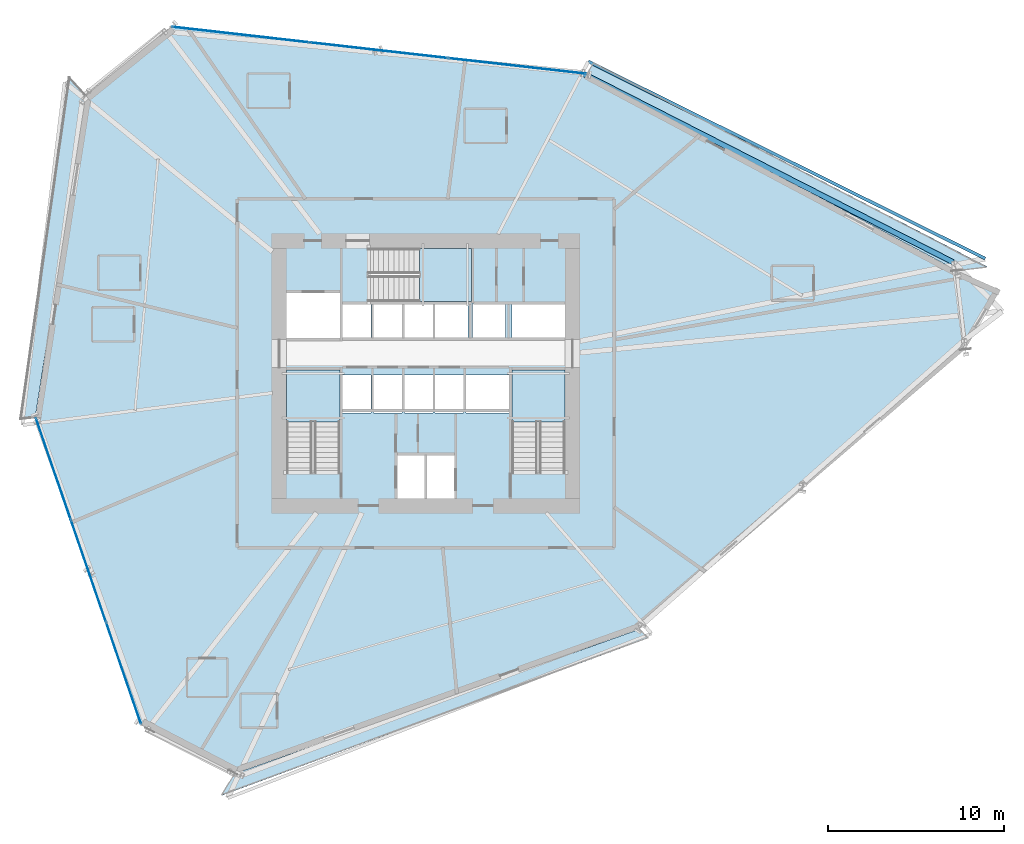
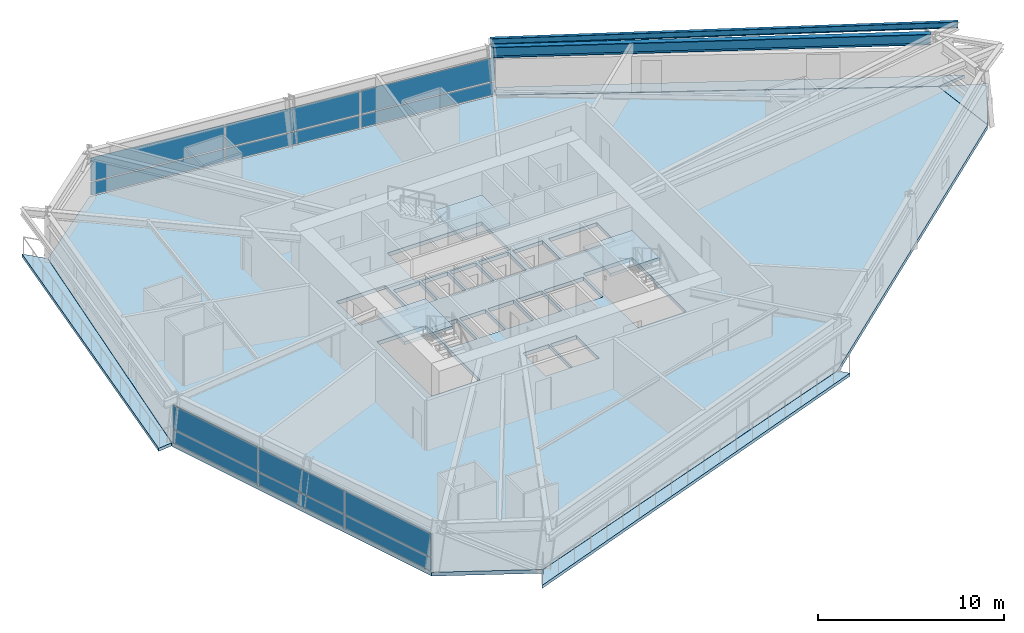
# One storey, part 11 of 22: 12 plates, 8 slabs, 2 beams, 5 elements without a shape of their own.
"""IFC4 building model written with IfcOpenShell, lengths in metres."""

import ifcopenshell
import ifcopenshell.guid

model = None  # the IFC model being written
_history = None  # IfcOwnerHistory: only IFC2X3 demands one
_inside = {}  # id of a spatial element -> (the spatial element, [elements in it])
_under = {}  # id of a project, library or spatial element -> (it, [spatial elements below it])
_declared = {}  # id of a project -> (the project, [libraries it declares])
_typed = {}  # id of a type object -> (the type object, [elements of that type])
_made_of = {}  # id of a material, layer set ... -> (it, [elements and type objects made of it])


def new_model(schema):
    """Start an empty IFC model of exactly this schema.

    Asked for "IFC4X3", IfcOpenShell would pick the latest addendum, in which some entities
    have other attributes; the version numbers below select the first issue.
    IFC2X3 requires an IfcOwnerHistory on every rooted entity: one is made here for all.
    """
    global model, _history
    if schema == "IFC4X3":
        model = ifcopenshell.file(schema_version=(4, 3, 0, 0))
    else:
        model = ifcopenshell.file(schema=schema)
    _inside.clear()
    _under.clear()
    _declared.clear()
    _typed.clear()
    _made_of.clear()
    _history = None
    if model.schema == "IFC2X3":
        org = make("IfcOrganization", Name="unknown")
        user = make(
            "IfcPersonAndOrganization",
            ThePerson=make("IfcPerson", FamilyName="unknown"),
            TheOrganization=org,
        )
        app = make(
            "IfcApplication",
            ApplicationDeveloper=org,
            Version="unknown",
            ApplicationFullName="unknown",
            ApplicationIdentifier="unknown",
        )
        _history = make(
            "IfcOwnerHistory",
            OwningUser=user,
            OwningApplication=app,
            ChangeAction="ADDED",
            CreationDate=0,
        )
    return model


def make(cls, **values):
    """One entity of the class cls with the attributes given. An attribute that is None is left unset."""
    return model.create_entity(
        cls, **{name: value for name, value in values.items() if value is not None}
    )


def rooted(cls, **values):
    """An entity with a GlobalId (a new one), such as an element, a storey or a relation."""
    return make(cls, GlobalId=ifcopenshell.guid.new(), OwnerHistory=_history, **values)


def si_unit(unit_type, name, prefix=None):
    """IfcSIUnit, for example si_unit("LENGTHUNIT", "METRE", prefix="MILLI")."""
    return make("IfcSIUnit", UnitType=unit_type, Prefix=prefix, Name=name)


def assignment(units):
    """IfcUnitAssignment: the units of a project."""
    return None if units is None else make("IfcUnitAssignment", Units=units)


def point(xyz):
    """IfcCartesianPoint."""
    return None if xyz is None else make("IfcCartesianPoint", Coordinates=xyz)


def direction(xyz):
    """IfcDirection."""
    return None if xyz is None else make("IfcDirection", DirectionRatios=xyz)


def frame(location, z_axis=None, x_axis=None):
    """IfcAxis2Placement3D, a coordinate frame: its origin and axes. An axis left out is left unset."""
    return make(
        "IfcAxis2Placement3D",
        Location=point(location),
        Axis=direction(z_axis),
        RefDirection=direction(x_axis),
    )


def frame_2d(location, x_axis=None):
    """IfcAxis2Placement2D, a coordinate frame in the plane: its origin and x axis."""
    return make(
        "IfcAxis2Placement2D", Location=point(location), RefDirection=direction(x_axis)
    )


def origin():
    """The frame at (0, 0, 0) with its axes left unset."""
    return frame((0.0, 0.0, 0.0))


def origin_2d():
    """The frame at (0, 0) in the plane with its x axis left unset."""
    return frame_2d((0.0, 0.0))


def place(relative_to, where):
    """IfcLocalPlacement: puts the frame where relative to a parent placement (None: the world)."""
    return make(
        "IfcLocalPlacement", PlacementRelTo=relative_to, RelativePlacement=where
    )


def context(
    kind, dimensions, precision=None, world=None, true_north=None, identifier=None
):
    """IfcGeometricRepresentationContext, for example the 3D "Model" context."""
    return make(
        "IfcGeometricRepresentationContext",
        ContextIdentifier=identifier,
        ContextType=kind,
        CoordinateSpaceDimension=dimensions,
        Precision=precision,
        WorldCoordinateSystem=world,
        TrueNorth=true_north,
    )


def subcontext(parent, identifier, kind, view, scale=None):
    """IfcGeometricRepresentationSubContext, for example "Body" below "Model"."""
    return make(
        "IfcGeometricRepresentationSubContext",
        ContextIdentifier=identifier,
        ContextType=kind,
        ParentContext=parent,
        TargetScale=scale,
        TargetView=view,
    )


def project(units=None, contexts=None):
    """IfcProject with its units and contexts."""
    return rooted(
        "IfcProject",
        Name="project",
        RepresentationContexts=contexts,
        UnitsInContext=assignment(units),
    )


def spatial(cls, under=None, at=None, **own):
    """A site, building, storey or space (cls), placed at a placement, below another one or the project."""
    s = rooted(cls, ObjectPlacement=at, **own)
    if under is not None:
        _under.setdefault(under.id(), (under, []))[1].append(s)
    return s


def polyline(points):
    """IfcPolyline through the points."""
    return make("IfcPolyline", Points=[point(p) for p in points])


def profile(cls, at=None, kind="AREA", **sizes):
    """A parametric profile (cls). Its sizes go by their IFC names, for example OverallWidth=200.0."""
    return make(cls, ProfileType=kind, Position=at, **sizes)


def rectangle(**sizes):
    """IfcRectangleProfileDef."""
    return profile("IfcRectangleProfileDef", **sizes)


def i_section(**sizes):
    """IfcIShapeProfileDef."""
    return profile("IfcIShapeProfileDef", **sizes)


def outline(outer, holes=None, kind="AREA"):
    """IfcArbitraryClosedProfileDef: a profile drawn as a closed curve; with holes, ...WithVoids."""
    if holes is None:
        return make("IfcArbitraryClosedProfileDef", ProfileType=kind, OuterCurve=outer)
    return make(
        "IfcArbitraryProfileDefWithVoids",
        ProfileType=kind,
        OuterCurve=outer,
        InnerCurves=holes,
    )


def extrude(swept, where, along, depth):
    """IfcExtrudedAreaSolid: the profile swept, set in the frame where, extruded along a direction by depth."""
    return make(
        "IfcExtrudedAreaSolid",
        SweptArea=swept,
        Position=where,
        ExtrudedDirection=direction(along),
        Depth=depth,
    )


def shape(context_of_items, identifier, shape_type, items):
    """IfcShapeRepresentation: the items that make up one representation, for example the "Body"."""
    return make(
        "IfcShapeRepresentation",
        ContextOfItems=context_of_items,
        RepresentationIdentifier=identifier,
        RepresentationType=shape_type,
        Items=items,
    )


def source(mapping_origin, context_of_items, identifier, shape_type, items):
    """IfcRepresentationMap: a shape defined once, which mapped items show again and again."""
    return make(
        "IfcRepresentationMap",
        MappingOrigin=mapping_origin,
        MappedRepresentation=shape(context_of_items, identifier, shape_type, items),
    )


def transform(
    local_origin,
    x_axis=None,
    y_axis=None,
    z_axis=None,
    scale=None,
    scale2=None,
    scale3=None,
    uniform=True,
):
    """IfcCartesianTransformationOperator3D, or its non-uniform kind. x_axis, y_axis, z_axis: its Axis1, 2, 3."""
    if uniform:
        return make(
            "IfcCartesianTransformationOperator3D",
            Axis1=direction(x_axis),
            Axis2=direction(y_axis),
            LocalOrigin=point(local_origin),
            Scale=scale,
            Axis3=direction(z_axis),
        )
    return make(
        "IfcCartesianTransformationOperator3DnonUniform",
        Axis1=direction(x_axis),
        Axis2=direction(y_axis),
        LocalOrigin=point(local_origin),
        Scale=scale,
        Axis3=direction(z_axis),
        Scale2=scale2,
        Scale3=scale3,
    )


def mapped(mapping_source, mapping_target):
    """IfcMappedItem: shows the shape of a source again, moved by a transform."""
    return make(
        "IfcMappedItem", MappingSource=mapping_source, MappingTarget=mapping_target
    )


def material(Name=None, Category=None):
    """IfcMaterial."""
    return make("IfcMaterial", Name=Name, Category=Category)


def layer(
    of_material, thickness, ventilated=None, Name=None, Category=None, Priority=None
):
    """IfcMaterialLayer: one layer of a wall or slab, of a material (None: an air gap)."""
    return make(
        "IfcMaterialLayer",
        Material=of_material,
        LayerThickness=thickness,
        IsVentilated=ventilated,
        Name=Name,
        Category=Category,
        Priority=Priority,
    )


def layer_set(layers, Name=None):
    """IfcMaterialLayerSet."""
    return make("IfcMaterialLayerSet", MaterialLayers=layers, LayerSetName=Name)


def material_profile(
    of_material, cross_section, Name=None, Category=None, Priority=None
):
    """IfcMaterialProfile: a cross section and its material."""
    return make(
        "IfcMaterialProfile",
        Name=Name,
        Material=of_material,
        Profile=cross_section,
        Priority=Priority,
        Category=Category,
    )


def profile_set(profiles, Name=None, composite=None):
    """IfcMaterialProfileSet."""
    return make(
        "IfcMaterialProfileSet",
        Name=Name,
        MaterialProfiles=profiles,
        CompositeProfile=composite,
    )


def made_of(thing, what):
    """Note that an element or type object is made of a material, layer set ...; save() writes the relation."""
    if what is not None:
        _made_of.setdefault(what.id(), (what, []))[1].append(thing)
    return thing


def type_object(cls, material=None, **own):
    """A type object (cls), such as IfcWallType, which elements share."""
    return made_of(rooted(cls, **own), material)


def element(
    cls,
    number,
    at=None,
    inside=None,
    cuts=None,
    type_object=None,
    material=None,
    context=None,
    identifier="Body",
    shape_type=None,
    held_by="IfcProductDefinitionShape",
    body=None,
    shapes=None,
    **own,
):
    """One element of the class cls, such as IfcWall. Its Tag is "e" and its number.

    at: its placement. inside: the storey or other place that contains it. cuts: it is an
    opening in that element (IfcRelVoidsElement). A single representation is given by context,
    identifier, shape_type and body (its items); several are given by shapes. held_by: the class
    of the entity that holds the representations. save() writes the other relations.
    """
    e = rooted(cls, Tag="e%d" % number, ObjectPlacement=at, **own)
    if body is not None:
        shapes = [shape(context, identifier, shape_type, body)]
    if shapes is not None:
        e.Representation = make(held_by, Representations=shapes)
    if inside is not None:
        _inside.setdefault(inside.id(), (inside, []))[1].append(e)
    if cuts is not None:
        rooted(
            "IfcRelVoidsElement", RelatingBuildingElement=cuts, RelatedOpeningElement=e
        )
    if type_object is not None:
        _typed.setdefault(type_object.id(), (type_object, []))[1].append(e)
    return made_of(e, material)


def aggregate(whole, parts):
    """IfcRelAggregates: a whole, such as a stair, and the parts it consists of."""
    return rooted("IfcRelAggregates", RelatingObject=whole, RelatedObjects=parts)


def save(model, path):
    """Write the relations noted so far, then the file.

    IfcRelAggregates (storeys below a building ...), IfcRelContainedInSpatialStructure (elements
    in a storey), IfcRelDefinesByType, IfcRelAssociatesMaterial and IfcRelDeclares: one each for
    every whole, place, type object, material and project.
    """
    for whole, parts in _under.values():
        aggregate(whole, parts)
    for where, things in _inside.values():
        rooted(
            "IfcRelContainedInSpatialStructure",
            RelatedElements=things,
            RelatingStructure=where,
        )
    for kind, things in _typed.values():
        rooted("IfcRelDefinesByType", RelatedObjects=things, RelatingType=kind)
    for what, things in _made_of.values():
        rooted("IfcRelAssociatesMaterial", RelatedObjects=things, RelatingMaterial=what)
    for by, libraries in _declared.values():
        rooted("IfcRelDeclares", RelatingContext=by, RelatedDefinitions=libraries)
    model.write(path)


model = new_model("IFC4")

# Units and contexts
model_context = context("Model", 3, precision=1e-05, world=origin(), true_north=direction((0.0, 1.0)))
body_context = subcontext(model_context, "Body", "Model", "MODEL_VIEW")
ifc_project = project(units=[si_unit("LENGTHUNIT", "METRE"), si_unit("AREAUNIT", "SQUARE_METRE"), si_unit("VOLUMEUNIT", "CUBIC_METRE"), si_unit("PLANEANGLEUNIT", "RADIAN"), si_unit("MASSUNIT", "GRAM", prefix="KILO")], contexts=[model_context])

# Site, building, storey
site_placement = place(None, origin())
site = spatial("IfcSite", under=ifc_project, at=site_placement, CompositionType="ELEMENT")
building_placement = place(site_placement, origin())
building = spatial("IfcBuilding", under=site, at=building_placement, Name="Olszyna Solenne Hotel", CompositionType="ELEMENT")
storey_placement = place(building_placement, frame((0.0, 0.0, 61.25)))
storey = spatial("IfcBuildingStorey", under=building, at=storey_placement, Name="L15", CompositionType="ELEMENT", Elevation=61.25)

# Beams
ifc_material_1 = material(Name="Steel S355J2", Category="steel")
ifc_material_profile_1 = material_profile(ifc_material_1, i_section(OverallWidth=0.300048828125, OverallDepth=0.699951171875, WebThickness=0.01708984375, FlangeThickness=0.031982421875, at=origin_2d()), Name="HEB 700", Category="load-bearing")
ifc_profile_set_1 = profile_set([ifc_material_profile_1], Name="Steel S355J2")
beam_type_1 = type_object("IfcBeamType", Name="BM-S1", PredefinedType="BEAM", material=ifc_profile_set_1)
shared_shape_1 = source(origin(), body_context, "Body", "SweptSolid", [
    extrude(i_section(OverallWidth=0.300048828125, OverallDepth=0.699951171875, WebThickness=0.01708984375, FlangeThickness=0.031982421875, at=origin_2d()), origin(), (0.0, 0.0, 1.0), 23.6162109375),
])
beam_1_placement = place(storey_placement, frame((67.936279296875, 32.90380859375, 2.949951171875), z_axis=(-0.890855287975, 0.454287195381, 0.0), x_axis=(-0.454287195381, -0.890855287975, 0.0)))
element("IfcBeam", 1, at=beam_1_placement, inside=storey, type_object=beam_type_1, Name="Perimeter spandrel beam BM-S1 B-L15-0467", PredefinedType="BEAM", context=body_context, shape_type="MappedRepresentation", body=[
    mapped(shared_shape_1, transform((0.0, 0.0, 0.0), x_axis=(1.0, 0.0, 0.0), y_axis=(0.0, 1.0, 0.0), z_axis=(0.0, 0.0, 1.0), scale=1.0)),
])
ifc_material_profile_2 = material_profile(ifc_material_1, i_section(OverallWidth=0.179931640625, OverallDepth=0.39990234375, WebThickness=0.008544921875, FlangeThickness=0.013427734375, at=origin_2d()), Name="IPE 400", Category="load-bearing")
ifc_profile_set_2 = profile_set([ifc_material_profile_2], Name="Steel S355J2")
beam_type_2 = type_object("IfcBeamType", Name="BM-F5", PredefinedType="BEAM", material=ifc_profile_set_2)
shared_shape_2 = source(origin(), body_context, "Body", "SweptSolid", [
    extrude(i_section(OverallWidth=0.179931640625, OverallDepth=0.39990234375, WebThickness=0.008544921875, FlangeThickness=0.013427734375, at=origin_2d()), origin(), (0.0, 0.0, 1.0), 25.15576171875),
])
beam_2_placement = place(storey_placement, frame((69.7548828125, 33.11279296875, 3.10009765625), z_axis=(-0.895631253907, 0.444797321289, 0.0), x_axis=(-0.444797321289, -0.895631253907, 0.0)))
element("IfcBeam", 2, at=beam_2_placement, inside=storey, type_object=beam_type_2, Name="Loggia outer edge beam BM-F5 B-L15-0492", PredefinedType="BEAM", context=body_context, shape_type="MappedRepresentation", body=[
    mapped(shared_shape_2, transform((0.0, 0.0, 0.0), x_axis=(1.0, 0.0, 0.0), y_axis=(0.0, 1.0, 0.0), z_axis=(0.0, 0.0, 1.0), scale=1.0)),
])

# Stair, slab
ifc_material_2 = material(Name="Concrete C40/50", Category="concrete")
stair_type = type_object("IfcStairType", Name="STR-C1", PredefinedType="TWO_QUARTER_WINDING_STAIR", material=ifc_material_2)
stair_1_placement = place(storey_placement, origin())
stair_1 = element("IfcStair", 3, at=stair_1_placement, inside=storey, type_object=stair_type, Name="L15 ST1", PredefinedType="TWO_QUARTER_WINDING_STAIR")
ifc_layer_1 = layer(ifc_material_2, 0.18994140625, Name="Concrete C40/50")
ifc_layer_set_1 = layer_set([ifc_layer_1], Name="Concrete C40/50")
slab_type_1 = type_object("IfcSlabType", Name="SL-LN190", PredefinedType="LANDING", material=ifc_layer_set_1)
slab_1_placement = place(storey_placement, frame((0.0, 0.0, 1.574951171875)))
slab_1 = element("IfcSlab", 4, at=slab_1_placement, type_object=slab_type_1, Name="ST1 landing 1", PredefinedType="LANDING", context=body_context, shape_type="SweptSolid", body=[
    extrude(outline(polyline([(33.1201171875, 23.85009765625), (33.1201171875, 26.800048828125), (30.10009765625, 26.800048828125), (30.10009765625, 23.85009765625), (33.1201171875, 23.85009765625)])), origin(), (0.0, 0.0, 1.0), 0.199951171875),
])
aggregate(stair_1, [slab_1])

stair_2_placement = place(storey_placement, origin())
stair_2 = element("IfcStair", 5, at=stair_2_placement, inside=storey, type_object=stair_type, Name="L15 ST2", PredefinedType="TWO_QUARTER_WINDING_STAIR")
slab_2_placement = place(storey_placement, frame((0.0, 0.0, 1.574951171875)))
slab_2 = element("IfcSlab", 6, at=slab_2_placement, type_object=slab_type_1, Name="ST2 landing 1", PredefinedType="LANDING", context=body_context, shape_type="SweptSolid", body=[
    extrude(outline(polyline([(45.89990234375, 23.85009765625), (45.89990234375, 26.800048828125), (42.8798828125, 26.800048828125), (42.8798828125, 23.85009765625), (45.89990234375, 23.85009765625)])), origin(), (0.0, 0.0, 1.0), 0.199951171875),
])
aggregate(stair_2, [slab_2])

stair_3_placement = place(storey_placement, origin())
stair_3 = element("IfcStair", 7, at=stair_3_placement, inside=storey, type_object=stair_type, Name="L15 ST3", PredefinedType="TWO_QUARTER_WINDING_STAIR")
slab_3_placement = place(storey_placement, frame((0.0, 0.0, 1.574951171875)))
slab_3 = element("IfcSlab", 8, at=slab_3_placement, type_object=slab_type_1, Name="ST3 landing 1", PredefinedType="LANDING", context=body_context, shape_type="SweptSolid", body=[
    extrude(outline(polyline([(37.6298828125, 30.679931640625), (40.580078125, 30.679931640625), (40.580078125, 33.699951171875), (37.6298828125, 33.699951171875), (37.6298828125, 30.679931640625)])), origin(), (0.0, 0.0, 1.0), 0.199951171875),
])
aggregate(stair_3, [slab_3])

# Slabs
ifc_material_3 = material(Name="Precast concrete C45/55", Category="concrete")
ifc_layer_2 = layer(ifc_material_3, 0.199951171875, Name="Precast concrete C45/55")
ifc_layer_set_2 = layer_set([ifc_layer_2], Name="Precast concrete C45/55")
slab_type_2 = type_object("IfcSlabType", Name="SL-LOG200", PredefinedType="FLOOR", material=ifc_layer_set_2)
slab_4_placement = place(storey_placement, frame((0.0, 0.0, -0.199951171875)))
element("IfcSlab", 9, at=slab_4_placement, inside=storey, type_object=slab_type_2, Name="Exterior loggia balcony slab SL-L15-LG1", PredefinedType="FLOOR", context=body_context, shape_type="SweptSolid", body=[
    extrude(outline(polyline([(47.153076171875, 43.611083984375), (68.133056640625, 32.442626953125), (68.15576171875, 32.4326171875), (69.89501953125, 32.6376953125), (47.53564453125, 44.234619140625), (47.153076171875, 43.611083984375)])), origin(), (0.0, 0.0, 1.0), 0.199951171875),
])
slab_5_placement = place(storey_placement, frame((0.0, 0.0, -0.199951171875)))
element("IfcSlab", 10, at=slab_5_placement, inside=storey, type_object=slab_type_2, Name="Exterior loggia balcony slab SL-L15-LG2", PredefinedType="FLOOR", context=body_context, shape_type="SweptSolid", body=[
    extrude(outline(polyline([(15.83251953125, 24.117919921875), (15.83251953125, 24.119140625), (15.83251953125, 24.12060546875), (15.832763671875, 24.1220703125), (18.6826171875, 42.379150390625), (18.682861328125, 42.380615234375), (18.68310546875, 42.3818359375), (18.68359375, 42.383056640625), (18.684326171875, 42.38427734375), (18.68505859375, 42.385498046875), (18.685791015625, 42.386474609375), (18.686767578125, 42.3876953125), (18.68701171875, 42.3876953125), (17.709716796875, 43.44091796875), (14.963134765625, 24.015625), (15.83251953125, 24.117919921875)])), origin(), (0.0, 0.0, 1.0), 0.199951171875),
])
slab_6_placement = place(storey_placement, frame((0.0, 0.0, -0.199951171875)))
element("IfcSlab", 11, at=slab_6_placement, inside=storey, type_object=slab_type_2, Name="Exterior loggia balcony slab SL-L15-LG3", PredefinedType="FLOOR", context=body_context, shape_type="SweptSolid", body=[
    extrude(outline(polyline([(50.139892578125, 12.0810546875), (50.1396484375, 12.080810546875), (50.138427734375, 12.079833984375), (50.13720703125, 12.0791015625), (50.135986328125, 12.07861328125), (50.134765625, 12.077880859375), (27.168701171875, 3.88037109375), (27.167236328125, 3.8798828125), (27.165771484375, 3.87939453125), (27.164306640625, 3.87939453125), (27.16259765625, 3.87939453125), (27.1611328125, 3.879638671875), (27.15966796875, 3.8798828125), (27.158203125, 3.88037109375), (27.15673828125, 3.881103515625), (27.15576171875, 3.881591796875), (26.382568359375, 2.621826171875), (50.62353515625, 11.56005859375), (50.139892578125, 12.0810546875)])), origin(), (0.0, 0.0, 1.0), 0.199951171875),
])
ifc_material_4 = material(Name="Concrete C50/60", Category="concrete")
ifc_layer_3 = layer(ifc_material_4, 0.25, Name="Concrete C50/60")
ifc_layer_set_3 = layer_set([ifc_layer_3], Name="Concrete C50/60")
slab_type_3 = type_object("IfcSlabType", Name="SL-TW250", PredefinedType="FLOOR", material=ifc_layer_set_3)
slab_7_placement = place(storey_placement, frame((0.0, 0.0, -0.25)))
element("IfcSlab", 12, at=slab_7_placement, inside=storey, type_object=slab_type_3, Name="Floor slab SL-TW250 SL-L15-01", PredefinedType="FLOOR", context=body_context, shape_type="SweptSolid", body=[
    extrude(outline(polyline([(68.629638671875, 27.979248046875), (68.12646484375, 32.42919921875), (47.14501953125, 43.59814453125), (23.52734375, 46.2744140625), (18.697265625, 42.376708984375), (15.847412109375, 24.119873046875), (21.855712890625, 6.645751953125), (27.163818359375, 3.894287109375), (50.1298828125, 12.092041015625), (68.629638671875, 27.979248046875)]), holes=[polyline([(30.10009765625, 20.949951171875), (33.1201171875, 20.949951171875), (33.1201171875, 26.800048828125), (30.10009765625, 26.800048828125), (30.10009765625, 20.949951171875)]), polyline([(42.8798828125, 20.949951171875), (45.89990234375, 20.949951171875), (45.89990234375, 26.800048828125), (42.8798828125, 26.800048828125), (42.8798828125, 20.949951171875)]), polyline([(34.72998046875, 30.679931640625), (40.580078125, 30.679931640625), (40.580078125, 33.699951171875), (34.72998046875, 33.699951171875), (34.72998046875, 30.679931640625)]), polyline([(36.340087890625, 19.5), (37.9599609375, 19.5), (37.9599609375, 21.9599609375), (36.340087890625, 21.9599609375), (36.340087890625, 19.5)]), polyline([(38.0400390625, 19.5), (39.659912109375, 19.5), (39.659912109375, 21.9599609375), (38.0400390625, 21.9599609375), (38.0400390625, 19.5)]), polyline([(30.10009765625, 28.60009765625), (33.1201171875, 28.60009765625), (33.1201171875, 31.159912109375), (30.10009765625, 31.159912109375), (30.10009765625, 28.60009765625)]), polyline([(33.280029296875, 24.360107421875), (34.89990234375, 24.360107421875), (34.89990234375, 26.5), (33.280029296875, 26.5), (33.280029296875, 24.360107421875)]), polyline([(35.030029296875, 24.360107421875), (36.64990234375, 24.360107421875), (36.64990234375, 26.5), (35.030029296875, 26.5), (35.030029296875, 24.360107421875)]), polyline([(36.780029296875, 24.360107421875), (38.39990234375, 24.360107421875), (38.39990234375, 26.5), (36.780029296875, 26.5), (36.780029296875, 24.360107421875)]), polyline([(38.530029296875, 24.360107421875), (40.14990234375, 24.360107421875), (40.14990234375, 26.5), (38.530029296875, 26.5), (38.530029296875, 24.360107421875)]), polyline([(40.280029296875, 24.360107421875), (42.719970703125, 24.360107421875), (42.719970703125, 26.5), (40.280029296875, 26.5), (40.280029296875, 24.360107421875)]), polyline([(33.280029296875, 28.60009765625), (34.89990234375, 28.60009765625), (34.89990234375, 30.550048828125), (33.280029296875, 30.550048828125), (33.280029296875, 28.60009765625)]), polyline([(35.030029296875, 28.60009765625), (36.64990234375, 28.60009765625), (36.64990234375, 30.550048828125), (35.030029296875, 30.550048828125), (35.030029296875, 28.60009765625)]), polyline([(36.780029296875, 28.60009765625), (38.39990234375, 28.60009765625), (38.39990234375, 30.550048828125), (36.780029296875, 30.550048828125), (36.780029296875, 28.60009765625)]), polyline([(38.530029296875, 28.60009765625), (40.389892578125, 28.60009765625), (40.389892578125, 30.550048828125), (38.530029296875, 30.550048828125), (38.530029296875, 28.60009765625)]), polyline([(40.659912109375, 28.60009765625), (42.52001953125, 28.60009765625), (42.52001953125, 30.550048828125), (40.659912109375, 30.550048828125), (40.659912109375, 28.60009765625)]), polyline([(42.8798828125, 28.60009765625), (45.89990234375, 28.60009765625), (45.89990234375, 30.550048828125), (42.8798828125, 30.550048828125), (42.8798828125, 28.60009765625)])]), origin(), (0.0, 0.0, 1.0), 0.25),
])
slab_8_placement = place(storey_placement, frame((0.0, 0.0, -0.25)))
element("IfcSlab", 13, at=slab_8_placement, inside=storey, type_object=slab_type_3, Name="Faceted glass-prism floor slab SL-L15-PR", PredefinedType="FLOOR", context=body_context, shape_type="SweptSolid", body=[
    extrude(outline(polyline([(68.136962890625, 32.424560546875), (68.63818359375, 27.99365234375), (70.61572265625, 31.328857421875), (68.136962890625, 32.424560546875)])), origin(), (0.0, 0.0, 1.0), 0.25),
])

# Curtain wall, plates
ifc_material_5 = material(Name="Anodised bronze aluminium", Category="aluminium")
curtain_wall_type = type_object("IfcCurtainWallType", Name="CW-SYS-2", PredefinedType="NOTDEFINED", material=ifc_material_5)
curtain_wall_1_placement = place(storey_placement, origin())
curtain_wall_1 = element("IfcCurtainWall", 14, at=curtain_wall_1_placement, inside=storey, type_object=curtain_wall_type, Name="Unitised curtain wall CW-SYS-2 CW-L15-01", PredefinedType="NOTDEFINED")
ifc_material_6 = material(Name="Terracotta cladding", Category="masonry")
plate_type_1 = type_object("IfcPlateType", Name="PN-SP1", PredefinedType="CURTAIN_PANEL", material=ifc_material_6)
shared_shape_3 = source(origin(), body_context, "Body", "SweptSolid", [
    extrude(rectangle(XDim=6.046875, YDim=0.035888671875, at=origin_2d()), origin(), (0.0, 0.0, 1.0), 0.83740234375),
])
plate_1_placement = place(storey_placement, frame((16.85498046875, 21.189697265625, 0.074951171875), z_axis=(0.0, 0.0, 1.0), x_axis=(0.325152971259, -0.945661432692, 0.0)))
plate_1 = element("IfcPlate", 15, at=plate_1_placement, type_object=plate_type_1, Name="Curtain-wall panel PN-SP1 CP-L15-01-01", PredefinedType="CURTAIN_PANEL", context=body_context, shape_type="MappedRepresentation", body=[
    mapped(shared_shape_3, transform((0.0, 0.0, 0.0), x_axis=(1.0, 0.0, 0.0), y_axis=(0.0, 1.0, 0.0), z_axis=(0.0, 0.0, 1.0), scale=1.0)),
])
plate_2_placement = place(storey_placement, frame((20.84814453125, 9.575927734375, 0.074951171875), z_axis=(0.0, 0.0, 1.0), x_axis=(0.325152971259, -0.945661432692, 0.0)))
plate_2 = element("IfcPlate", 16, at=plate_2_placement, type_object=plate_type_1, Name="Curtain-wall panel PN-SP1 CP-L15-01-05", PredefinedType="CURTAIN_PANEL", context=body_context, shape_type="MappedRepresentation", body=[
    mapped(shared_shape_3, transform((0.0, 0.0, 0.0), x_axis=(1.0, 0.0, 0.0), y_axis=(0.0, 1.0, 0.0), z_axis=(0.0, 0.0, 1.0), scale=1.0)),
])
ifc_material_7 = material(Name="Low-E triple glazing", Category="glass")
plate_type_2 = type_object("IfcPlateType", Name="PN-GL1", PredefinedType="CURTAIN_PANEL", material=ifc_material_7)
shared_shape_4 = source(origin(), body_context, "Body", "SweptSolid", [
    extrude(rectangle(XDim=6.046875, YDim=0.035888671875, at=origin_2d()), origin(), (0.0, 0.0, 1.0), 1.529541015625),
])
plate_3_placement = place(storey_placement, frame((16.85498046875, 21.189697265625, 0.9873046875), z_axis=(0.0, 0.0, 1.0), x_axis=(0.325152971259, -0.945661432692, 0.0)))
plate_3 = element("IfcPlate", 17, at=plate_3_placement, type_object=plate_type_2, Name="Curtain-wall panel PN-GL1 CP-L15-01-02", PredefinedType="CURTAIN_PANEL", context=body_context, shape_type="MappedRepresentation", body=[
    mapped(shared_shape_4, transform((0.0, 0.0, 0.0), x_axis=(1.0, 0.0, 0.0), y_axis=(0.0, 1.0, 0.0), z_axis=(0.0, 0.0, 1.0), scale=1.0)),
])
plate_4_placement = place(storey_placement, frame((20.84814453125, 9.575927734375, 0.9873046875), z_axis=(0.0, 0.0, 1.0), x_axis=(0.325152971259, -0.945661432692, 0.0)))
plate_4 = element("IfcPlate", 18, at=plate_4_placement, type_object=plate_type_2, Name="Curtain-wall panel PN-GL1 CP-L15-01-06", PredefinedType="CURTAIN_PANEL", context=body_context, shape_type="MappedRepresentation", body=[
    mapped(shared_shape_4, transform((0.0, 0.0, 0.0), x_axis=(1.0, 0.0, 0.0), y_axis=(0.0, 1.0, 0.0), z_axis=(0.0, 0.0, 1.0), scale=1.0)),
])
shared_shape_5 = source(origin(), body_context, "Body", "SweptSolid", [
    extrude(rectangle(XDim=6.08447265625, YDim=0.035888671875, at=origin_2d()), origin(), (0.0, 0.0, 1.0), 0.83740234375),
])
plate_5_placement = place(storey_placement, frame((18.8515625, 15.3828125, 0.074951171875), z_axis=(0.0, 0.0, 1.0), x_axis=(0.325152971259, -0.945661432692, 0.0)))
plate_5 = element("IfcPlate", 19, at=plate_5_placement, type_object=plate_type_1, Name="Curtain-wall panel PN-SP1 CP-L15-01-03", PredefinedType="CURTAIN_PANEL", context=body_context, shape_type="MappedRepresentation", body=[
    mapped(shared_shape_5, transform((0.0, 0.0, 0.0), x_axis=(1.0, 0.0, 0.0), y_axis=(0.0, 1.0, 0.0), z_axis=(0.0, 0.0, 1.0), scale=1.0)),
])
shared_shape_6 = source(origin(), body_context, "Body", "SweptSolid", [
    extrude(rectangle(XDim=6.08447265625, YDim=0.035888671875, at=origin_2d()), origin(), (0.0, 0.0, 1.0), 1.529541015625),
])
plate_6_placement = place(storey_placement, frame((18.8515625, 15.3828125, 0.9873046875), z_axis=(0.0, 0.0, 1.0), x_axis=(0.325152971259, -0.945661432692, 0.0)))
plate_6 = element("IfcPlate", 20, at=plate_6_placement, type_object=plate_type_2, Name="Curtain-wall panel PN-GL1 CP-L15-01-04", PredefinedType="CURTAIN_PANEL", context=body_context, shape_type="MappedRepresentation", body=[
    mapped(shared_shape_6, transform((0.0, 0.0, 0.0), x_axis=(1.0, 0.0, 0.0), y_axis=(0.0, 1.0, 0.0), z_axis=(0.0, 0.0, 1.0), scale=1.0)),
])
aggregate(curtain_wall_1, [plate_1, plate_3, plate_5, plate_6, plate_2, plate_4])

curtain_wall_2_placement = place(storey_placement, origin())
curtain_wall_2 = element("IfcCurtainWall", 21, at=curtain_wall_2_placement, inside=storey, type_object=curtain_wall_type, Name="Unitised curtain wall CW-SYS-2 CW-L15-02", PredefinedType="NOTDEFINED")
shared_shape_7 = source(origin(), body_context, "Body", "SweptSolid", [
    extrude(rectangle(XDim=7.810546875, YDim=0.035888671875, at=origin_2d()), origin(), (0.0, 0.0, 1.0), 0.83740234375),
])
plate_7_placement = place(storey_placement, frame((27.482421875, 45.826416015625, 0.074951171875), z_axis=(0.0, 0.0, 1.0), x_axis=(0.993640744606, -0.112596938937, 0.0)))
plate_7 = element("IfcPlate", 22, at=plate_7_placement, type_object=plate_type_1, Name="Curtain-wall panel PN-SP1 CP-L15-02-01", PredefinedType="CURTAIN_PANEL", context=body_context, shape_type="MappedRepresentation", body=[
    mapped(shared_shape_7, transform((0.0, 0.0, 0.0), x_axis=(1.0, 0.0, 0.0), y_axis=(0.0, 1.0, 0.0), z_axis=(0.0, 0.0, 1.0), scale=1.0)),
])
plate_8_placement = place(storey_placement, frame((43.190185546875, 44.04638671875, 0.074951171875), z_axis=(0.0, 0.0, 1.0), x_axis=(0.993640744606, -0.112596938937, 0.0)))
plate_8 = element("IfcPlate", 23, at=plate_8_placement, type_object=plate_type_1, Name="Curtain-wall panel PN-SP1 CP-L15-02-05", PredefinedType="CURTAIN_PANEL", context=body_context, shape_type="MappedRepresentation", body=[
    mapped(shared_shape_7, transform((0.0, 0.0, 0.0), x_axis=(1.0, 0.0, 0.0), y_axis=(0.0, 1.0, 0.0), z_axis=(0.0, 0.0, 1.0), scale=1.0)),
])
shared_shape_8 = source(origin(), body_context, "Body", "SweptSolid", [
    extrude(rectangle(XDim=7.810546875, YDim=0.035888671875, at=origin_2d()), origin(), (0.0, 0.0, 1.0), 1.529541015625),
])
plate_9_placement = place(storey_placement, frame((27.482421875, 45.826416015625, 0.9873046875), z_axis=(0.0, 0.0, 1.0), x_axis=(0.993640744606, -0.112596938937, 0.0)))
plate_9 = element("IfcPlate", 24, at=plate_9_placement, type_object=plate_type_2, Name="Curtain-wall panel PN-GL1 CP-L15-02-02", PredefinedType="CURTAIN_PANEL", context=body_context, shape_type="MappedRepresentation", body=[
    mapped(shared_shape_8, transform((0.0, 0.0, 0.0), x_axis=(1.0, 0.0, 0.0), y_axis=(0.0, 1.0, 0.0), z_axis=(0.0, 0.0, 1.0), scale=1.0)),
])
plate_10_placement = place(storey_placement, frame((43.190185546875, 44.04638671875, 0.9873046875), z_axis=(0.0, 0.0, 1.0), x_axis=(0.993640744606, -0.112596938937, 0.0)))
plate_10 = element("IfcPlate", 25, at=plate_10_placement, type_object=plate_type_2, Name="Curtain-wall panel PN-GL1 CP-L15-02-06", PredefinedType="CURTAIN_PANEL", context=body_context, shape_type="MappedRepresentation", body=[
    mapped(shared_shape_8, transform((0.0, 0.0, 0.0), x_axis=(1.0, 0.0, 0.0), y_axis=(0.0, 1.0, 0.0), z_axis=(0.0, 0.0, 1.0), scale=1.0)),
])
shared_shape_9 = source(origin(), body_context, "Body", "SweptSolid", [
    extrude(rectangle(XDim=7.847900390625, YDim=0.035888671875, at=origin_2d()), origin(), (0.0, 0.0, 1.0), 0.83740234375),
])
plate_11_placement = place(storey_placement, frame((35.336181640625, 44.936279296875, 0.074951171875), z_axis=(0.0, 0.0, 1.0), x_axis=(0.993640744606, -0.112596938937, 0.0)))
plate_11 = element("IfcPlate", 26, at=plate_11_placement, type_object=plate_type_1, Name="Curtain-wall panel PN-SP1 CP-L15-02-03", PredefinedType="CURTAIN_PANEL", context=body_context, shape_type="MappedRepresentation", body=[
    mapped(shared_shape_9, transform((0.0, 0.0, 0.0), x_axis=(1.0, 0.0, 0.0), y_axis=(0.0, 1.0, 0.0), z_axis=(0.0, 0.0, 1.0), scale=1.0)),
])
shared_shape_10 = source(origin(), body_context, "Body", "SweptSolid", [
    extrude(rectangle(XDim=7.847900390625, YDim=0.035888671875, at=origin_2d()), origin(), (0.0, 0.0, 1.0), 1.529541015625),
])
plate_12_placement = place(storey_placement, frame((35.336181640625, 44.936279296875, 0.9873046875), z_axis=(0.0, 0.0, 1.0), x_axis=(0.993640744606, -0.112596938937, 0.0)))
plate_12 = element("IfcPlate", 27, at=plate_12_placement, type_object=plate_type_2, Name="Curtain-wall panel PN-GL1 CP-L15-02-04", PredefinedType="CURTAIN_PANEL", context=body_context, shape_type="MappedRepresentation", body=[
    mapped(shared_shape_10, transform((0.0, 0.0, 0.0), x_axis=(1.0, 0.0, 0.0), y_axis=(0.0, 1.0, 0.0), z_axis=(0.0, 0.0, 1.0), scale=1.0)),
])
aggregate(curtain_wall_2, [plate_7, plate_9, plate_11, plate_12, plate_8, plate_10])

save(model, "model.ifc")
